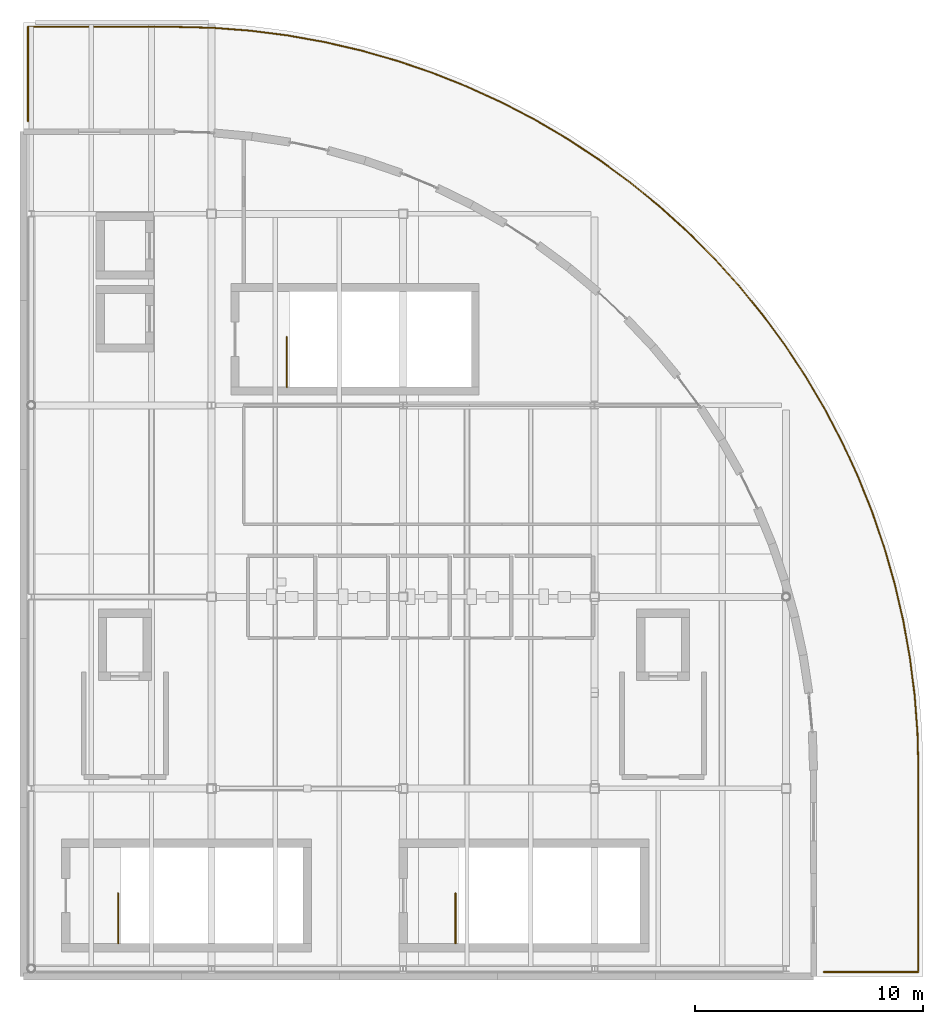
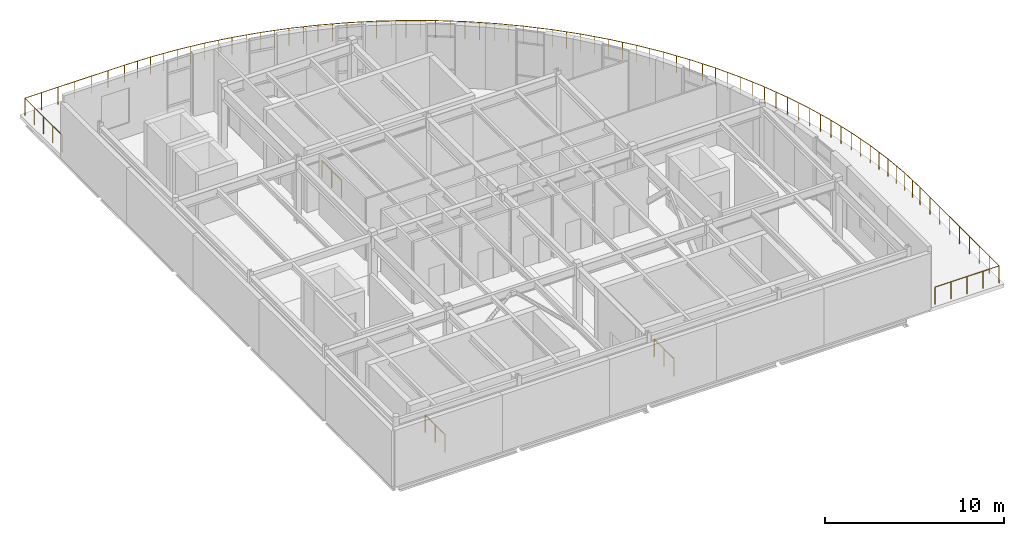
# One storey, part 25 of 26: 5 railings.
"""IFC4 building model written with IfcOpenShell, lengths in metres."""

from ifc_helpers import new_model, si_unit, direction, frame, origin, origin_2d, place, context, subcontext, project, spatial, circle, extrude, material, type_object, element, save


model = new_model("IFC4")

# Units and contexts
model_context = context("Model", 3, precision=1e-05, world=origin(), true_north=direction((0.0, 1.0)))
body_context = subcontext(model_context, "Body", "Model", "MODEL_VIEW")
ifc_project = project(units=[si_unit("LENGTHUNIT", "METRE"), si_unit("AREAUNIT", "SQUARE_METRE"), si_unit("VOLUMEUNIT", "CUBIC_METRE"), si_unit("PLANEANGLEUNIT", "RADIAN"), si_unit("MASSUNIT", "GRAM", prefix="KILO"), si_unit("THERMODYNAMICTEMPERATUREUNIT", "KELVIN")], contexts=[model_context])

# Site, building, storey
site_placement = place(None, origin())
site = spatial("IfcSite", under=ifc_project, at=site_placement, CompositionType="ELEMENT")
building_placement = place(site_placement, origin())
building = spatial("IfcBuilding", under=site, at=building_placement, Name="Lustrewick Department Store", CompositionType="ELEMENT")
storey_placement = place(building_placement, frame((0.0, 0.0, 36.300048828125)))
storey = spatial("IfcBuildingStorey", under=building, at=storey_placement, Name="L08", CompositionType="ELEMENT", Elevation=36.300048828125)

# Railings
ifc_material_1 = material(Name="Laminated glass and anodized aluminium guardrail", Category="aluminium")
railing_type_1 = type_object("IfcRailingType", Name="RL-EXT", PredefinedType="GUARDRAIL", material=ifc_material_1)
railing_1_placement = place(storey_placement, frame((109.550048828125, 92.199951171875, 0.0)))
element("IfcRailing", 1, at=railing_1_placement, inside=storey, type_object=railing_type_1, Name="L08 Terrace Perimeter Guardrail 0020", PredefinedType="GUARDRAIL", context=body_context, shape_type="SweptSolid", body=[
    extrude(circle(Radius=0.02392578125, at=origin_2d()), frame((0.0, 0.0, 1.17578125), z_axis=(1.0, 0.0, 0.0), x_axis=(0.0, 1.0, 0.0)), (0.0, 0.0, 1.0), 6.447509765625),
    extrude(circle(Radius=0.02392578125, at=origin_2d()), frame((6.447509765625, 0.0, 1.17578125), z_axis=(0.999681439069, -0.025239262673, 0.0), x_axis=(0.025239262673, 0.999681439069, 0.0)), (0.0, 0.0, 1.0), 1.654052734375),
    extrude(circle(Radius=0.02392578125, at=origin_2d()), frame((8.10107421875, -0.041748046875, 1.17578125), z_axis=(0.997109868287, -0.075973091061, 0.0), x_axis=(0.075973091061, 0.997109868287, 0.0)), (0.0, 0.0, 1.0), 1.65185546875),
    extrude(circle(Radius=0.02392578125, at=origin_2d()), frame((9.748046875, -0.167236328125, 1.17578125), z_axis=(0.991981746931, -0.126381223905, 0.0), x_axis=(0.126381223905, 0.991981746931, 0.0)), (0.0, 0.0, 1.0), 1.651611328125),
    extrude(circle(Radius=0.02392578125, at=origin_2d()), frame((11.386474609375, -0.3759765625, 1.17578125), z_axis=(0.984327836043, -0.176348266767, 0.0), x_axis=(0.176348266767, 0.984327836043, 0.0)), (0.0, 0.0, 1.0), 1.651611328125),
    extrude(circle(Radius=0.02392578125, at=origin_2d()), frame((13.01220703125, -0.667236328125, 1.17578125), z_axis=(0.974098944208, -0.226122194605, 0.0), x_axis=(0.226122194605, 0.974098944208, 0.0)), (0.0, 0.0, 1.0), 1.65185546875),
    extrude(circle(Radius=0.02392578125, at=origin_2d()), frame((14.621337890625, -1.040771484375, 1.17578125), z_axis=(0.961417892311, -0.275092050675, 0.0), x_axis=(0.275092050675, 0.961417892311, 0.0)), (0.0, 0.0, 1.0), 1.651611328125),
    extrude(circle(Radius=0.02392578125, at=origin_2d()), frame((16.209228515625, -1.4951171875, 1.17578125), z_axis=(0.946246162495, -0.323447368152, 0.0), x_axis=(0.323447368152, 0.946246162495, 0.0)), (0.0, 0.0, 1.0), 1.651611328125),
    extrude(circle(Radius=0.02392578125, at=origin_2d()), frame((17.77197265625, -2.029296875, 1.17578125), z_axis=(0.92869060639, -0.370855440304, 0.0), x_axis=(0.370855440304, 0.92869060639, 0.0)), (0.0, 0.0, 1.0), 1.651611328125),
    extrude(circle(Radius=0.02392578125, at=origin_2d()), frame((19.305908203125, -2.641845703125, 1.17578125), z_axis=(0.908637433662, -0.417585936244, 0.0), x_axis=(0.417585936244, 0.908637433662, 0.0)), (0.0, 0.0, 1.0), 1.651611328125),
    extrude(circle(Radius=0.02392578125, at=origin_2d()), frame((20.806640625, -3.33154296875, 1.17578125), z_axis=(0.886395017132, -0.462929663775, 0.0), x_axis=(0.462929663775, 0.886395017132, 0.0)), (0.0, 0.0, 1.0), 1.65185546875),
    extrude(circle(Radius=0.02392578125, at=origin_2d()), frame((22.270751953125, -4.09619140625, 1.17578125), z_axis=(0.861702348835, -0.507414093233, 0.0), x_axis=(0.507414093233, 0.861702348835, 0.0)), (0.0, 0.0, 1.0), 1.65185546875),
    extrude(circle(Radius=0.02392578125, at=origin_2d()), frame((23.694091796875, -4.934326171875, 1.17578125), z_axis=(0.834972096358, -0.55029228443, 0.0), x_axis=(0.55029228443, 0.834972096358, 0.0)), (0.0, 0.0, 1.0), 1.651611328125),
    extrude(circle(Radius=0.02392578125, at=origin_2d()), frame((25.0732421875, -5.84326171875, 1.17578125), z_axis=(0.806042993688, -0.591856986379, 0.0), x_axis=(0.591856986379, 0.806042993688, 0.0)), (0.0, 0.0, 1.0), 1.651611328125),
    extrude(circle(Radius=0.02392578125, at=origin_2d()), frame((26.404541015625, -6.82080078125, 1.17578125), z_axis=(0.775023142998, -0.631932850719, 0.0), x_axis=(0.631932850719, 0.775023142998, 0.0)), (0.0, 0.0, 1.0), 1.651611328125),
    extrude(circle(Radius=0.02392578125, at=origin_2d()), frame((27.6845703125, -7.864501953125, 1.17578125), z_axis=(0.742043343469, -0.670351904907, 0.0), x_axis=(0.670351904907, 0.742043343469, 0.0)), (0.0, 0.0, 1.0), 1.651611328125),
    extrude(circle(Radius=0.02392578125, at=origin_2d()), frame((28.91015625, -8.9716796875, 1.17578125), z_axis=(0.707106781187, -0.707106781187, 0.0), x_axis=(0.707106781187, 0.707106781187, 0.0)), (0.0, 0.0, 1.0), 1.65185546875),
    extrude(circle(Radius=0.02392578125, at=origin_2d()), frame((30.078125, -10.1396484375, 1.17578125), z_axis=(0.670433285257, -0.741969817458, 0.0), x_axis=(0.741969817458, 0.670433285257, 0.0)), (0.0, 0.0, 1.0), 1.65185546875),
    extrude(circle(Radius=0.02392578125, at=origin_2d()), frame((31.185546875, -11.365234375, 1.17578125), z_axis=(0.631932850719, -0.775023142998, 0.0), x_axis=(0.775023142998, 0.631932850719, 0.0)), (0.0, 0.0, 1.0), 1.651611328125),
    extrude(circle(Radius=0.02392578125, at=origin_2d()), frame((32.229248046875, -12.645263671875, 1.17578125), z_axis=(0.591856986379, -0.806042993688, 0.0), x_axis=(0.806042993688, 0.591856986379, 0.0)), (0.0, 0.0, 1.0), 1.651611328125),
    extrude(circle(Radius=0.02392578125, at=origin_2d()), frame((33.206787109375, -13.9765625, 1.17578125), z_axis=(0.55029228443, -0.834972096358, 0.0), x_axis=(0.834972096358, 0.55029228443, 0.0)), (0.0, 0.0, 1.0), 1.651611328125),
    extrude(circle(Radius=0.02392578125, at=origin_2d()), frame((34.11572265625, -15.355712890625, 1.17578125), z_axis=(0.507304331203, -0.861766972877, 0.0), x_axis=(0.861766972877, 0.507304331203, 0.0)), (0.0, 0.0, 1.0), 1.651611328125),
    extrude(circle(Radius=0.02392578125, at=origin_2d()), frame((34.95361328125, -16.779052734375, 1.17578125), z_axis=(0.462929663775, -0.886395017132, 0.0), x_axis=(0.886395017132, 0.462929663775, 0.0)), (0.0, 0.0, 1.0), 1.65185546875),
    extrude(circle(Radius=0.02392578125, at=origin_2d()), frame((35.71826171875, -18.2431640625, 1.17578125), z_axis=(0.417585936244, -0.908637433662, 0.0), x_axis=(0.908637433662, 0.417585936244, 0.0)), (0.0, 0.0, 1.0), 1.651611328125),
    extrude(circle(Radius=0.02392578125, at=origin_2d()), frame((36.407958984375, -19.743896484375, 1.17578125), z_axis=(0.370982911009, -0.928639693175, 0.0), x_axis=(0.928639693175, 0.370982911009, 0.0)), (0.0, 0.0, 1.0), 1.65185546875),
    extrude(circle(Radius=0.02392578125, at=origin_2d()), frame((37.020751953125, -21.27783203125, 1.17578125), z_axis=(0.323402129791, -0.946261624735, 0.0), x_axis=(0.946261624735, 0.323402129791, 0.0)), (0.0, 0.0, 1.0), 1.65185546875),
    extrude(circle(Radius=0.02392578125, at=origin_2d()), frame((37.554931640625, -22.8408203125, 1.17578125), z_axis=(0.274955409196, -0.961456979253, 0.0), x_axis=(0.961456979253, 0.274955409196, 0.0)), (0.0, 0.0, 1.0), 1.651611328125),
    extrude(circle(Radius=0.02392578125, at=origin_2d()), frame((38.009033203125, -24.4287109375, 1.17578125), z_axis=(0.226154752691, -0.974091385772, 0.0), x_axis=(0.974091385772, 0.226154752691, 0.0)), (0.0, 0.0, 1.0), 1.651611328125),
    extrude(circle(Radius=0.02392578125, at=origin_2d()), frame((38.382568359375, -26.03759765625, 1.17578125), z_axis=(0.176491483347, -0.984302167175, 0.0), x_axis=(0.984302167175, 0.176491483347, 0.0)), (0.0, 0.0, 1.0), 1.651611328125),
    extrude(circle(Radius=0.02392578125, at=origin_2d()), frame((38.674072265625, -27.663330078125, 1.17578125), z_axis=(0.126235766455, -0.992000267776, 0.0), x_axis=(0.992000267776, 0.126235766455, 0.0)), (0.0, 0.0, 1.0), 1.651611328125),
    extrude(circle(Radius=0.02392578125, at=origin_2d()), frame((38.882568359375, -29.3017578125, 1.17578125), z_axis=(0.075973091061, -0.997109868287, 0.0), x_axis=(0.997109868287, 0.075973091061, 0.0)), (0.0, 0.0, 1.0), 1.65185546875),
    extrude(circle(Radius=0.02392578125, at=origin_2d()), frame((39.008056640625, -30.94873046875, 1.17578125), z_axis=(0.025383020589, -0.999677799226, 0.0), x_axis=(0.999677799226, 0.025383020589, 0.0)), (0.0, 0.0, 1.0), 1.654296875),
    extrude(circle(Radius=0.02392578125, at=origin_2d()), frame((39.050048828125, -32.6025390625, 1.17578125), z_axis=(0.0, -1.0, 0.0), x_axis=(1.0, 0.0, 0.0)), (0.0, 0.0, 1.0), 8.847412109375),
    extrude(circle(Radius=0.02392578125, at=origin_2d()), frame((39.050048828125, -41.449951171875, 1.17578125), z_axis=(-1.0, 0.0, 0.0), x_axis=(0.0, -1.0, 0.0)), (0.0, 0.0, 1.0), 4.150146484375),
    extrude(circle(Radius=0.02099609375, at=origin_2d()), origin(), (0.0, 0.0, 1.0), 1.15185546875),
    extrude(circle(Radius=0.02099609375, at=origin_2d()), frame((1.07470703125, 0.0, 0.0)), (0.0, 0.0, 1.0), 1.15185546875),
    extrude(circle(Radius=0.02099609375, at=origin_2d()), frame((2.149169921875, 0.0, 0.0)), (0.0, 0.0, 1.0), 1.15185546875),
    extrude(circle(Radius=0.02099609375, at=origin_2d()), frame((3.2236328125, 0.0, 0.0)), (0.0, 0.0, 1.0), 1.15185546875),
    extrude(circle(Radius=0.02099609375, at=origin_2d()), frame((4.29833984375, 0.0, 0.0)), (0.0, 0.0, 1.0), 1.15185546875),
    extrude(circle(Radius=0.02099609375, at=origin_2d()), frame((5.373046875, 0.0, 0.0)), (0.0, 0.0, 1.0), 1.15185546875),
    extrude(circle(Radius=0.02099609375, at=origin_2d()), frame((6.447509765625, 0.0, 0.0)), (0.0, 0.0, 1.0), 1.15185546875),
    extrude(circle(Radius=0.02099609375, at=origin_2d()), frame((7.2744140625, -0.02099609375, 0.0)), (0.0, 0.0, 1.0), 1.15185546875),
    extrude(circle(Radius=0.02099609375, at=origin_2d()), frame((8.10107421875, -0.041748046875, 0.0)), (0.0, 0.0, 1.0), 1.15185546875),
    extrude(circle(Radius=0.02099609375, at=origin_2d()), frame((8.924560546875, -0.1044921875, 0.0)), (0.0, 0.0, 1.0), 1.15185546875),
    extrude(circle(Radius=0.02099609375, at=origin_2d()), frame((9.748046875, -0.167236328125, 0.0)), (0.0, 0.0, 1.0), 1.15185546875),
    extrude(circle(Radius=0.02099609375, at=origin_2d()), frame((10.5673828125, -0.271484375, 0.0)), (0.0, 0.0, 1.0), 1.15185546875),
    extrude(circle(Radius=0.02099609375, at=origin_2d()), frame((11.386474609375, -0.3759765625, 0.0)), (0.0, 0.0, 1.0), 1.15185546875),
    extrude(circle(Radius=0.02099609375, at=origin_2d()), frame((12.19921875, -0.521484375, 0.0)), (0.0, 0.0, 1.0), 1.15185546875),
    extrude(circle(Radius=0.02099609375, at=origin_2d()), frame((13.01220703125, -0.667236328125, 0.0)), (0.0, 0.0, 1.0), 1.15185546875),
    extrude(circle(Radius=0.02099609375, at=origin_2d()), frame((13.81689453125, -0.85400390625, 0.0)), (0.0, 0.0, 1.0), 1.15185546875),
    extrude(circle(Radius=0.02099609375, at=origin_2d()), frame((14.621337890625, -1.040771484375, 0.0)), (0.0, 0.0, 1.0), 1.15185546875),
    extrude(circle(Radius=0.02099609375, at=origin_2d()), frame((15.415283203125, -1.26806640625, 0.0)), (0.0, 0.0, 1.0), 1.15185546875),
    extrude(circle(Radius=0.02099609375, at=origin_2d()), frame((16.209228515625, -1.4951171875, 0.0)), (0.0, 0.0, 1.0), 1.15185546875),
    extrude(circle(Radius=0.02099609375, at=origin_2d()), frame((16.99072265625, -1.76220703125, 0.0)), (0.0, 0.0, 1.0), 1.15185546875),
    extrude(circle(Radius=0.02099609375, at=origin_2d()), frame((17.77197265625, -2.029296875, 0.0)), (0.0, 0.0, 1.0), 1.15185546875),
    extrude(circle(Radius=0.02099609375, at=origin_2d()), frame((18.5390625, -2.33544921875, 0.0)), (0.0, 0.0, 1.0), 1.15185546875),
    extrude(circle(Radius=0.02099609375, at=origin_2d()), frame((19.305908203125, -2.641845703125, 0.0)), (0.0, 0.0, 1.0), 1.15185546875),
    extrude(circle(Radius=0.02099609375, at=origin_2d()), frame((20.05615234375, -2.98681640625, 0.0)), (0.0, 0.0, 1.0), 1.15185546875),
    extrude(circle(Radius=0.02099609375, at=origin_2d()), frame((20.806640625, -3.33154296875, 0.0)), (0.0, 0.0, 1.0), 1.15185546875),
    extrude(circle(Radius=0.02099609375, at=origin_2d()), frame((21.53857421875, -3.7138671875, 0.0)), (0.0, 0.0, 1.0), 1.15185546875),
    extrude(circle(Radius=0.02099609375, at=origin_2d()), frame((22.270751953125, -4.09619140625, 0.0)), (0.0, 0.0, 1.0), 1.15185546875),
    extrude(circle(Radius=0.02099609375, at=origin_2d()), frame((22.982421875, -4.51513671875, 0.0)), (0.0, 0.0, 1.0), 1.15185546875),
    extrude(circle(Radius=0.02099609375, at=origin_2d()), frame((23.694091796875, -4.934326171875, 0.0)), (0.0, 0.0, 1.0), 1.15185546875),
    extrude(circle(Radius=0.02099609375, at=origin_2d()), frame((24.3837890625, -5.388671875, 0.0)), (0.0, 0.0, 1.0), 1.15185546875),
    extrude(circle(Radius=0.02099609375, at=origin_2d()), frame((25.0732421875, -5.84326171875, 0.0)), (0.0, 0.0, 1.0), 1.15185546875),
    extrude(circle(Radius=0.02099609375, at=origin_2d()), frame((25.73876953125, -6.33203125, 0.0)), (0.0, 0.0, 1.0), 1.15185546875),
    extrude(circle(Radius=0.02099609375, at=origin_2d()), frame((26.404541015625, -6.82080078125, 0.0)), (0.0, 0.0, 1.0), 1.15185546875),
    extrude(circle(Radius=0.02099609375, at=origin_2d()), frame((27.04443359375, -7.3427734375, 0.0)), (0.0, 0.0, 1.0), 1.15185546875),
    extrude(circle(Radius=0.02099609375, at=origin_2d()), frame((27.6845703125, -7.864501953125, 0.0)), (0.0, 0.0, 1.0), 1.15185546875),
    extrude(circle(Radius=0.02099609375, at=origin_2d()), frame((28.29736328125, -8.41796875, 0.0)), (0.0, 0.0, 1.0), 1.15185546875),
    extrude(circle(Radius=0.02099609375, at=origin_2d()), frame((28.91015625, -8.9716796875, 0.0)), (0.0, 0.0, 1.0), 1.15185546875),
    extrude(circle(Radius=0.02099609375, at=origin_2d()), frame((29.494140625, -9.5556640625, 0.0)), (0.0, 0.0, 1.0), 1.15185546875),
    extrude(circle(Radius=0.02099609375, at=origin_2d()), frame((30.078125, -10.1396484375, 0.0)), (0.0, 0.0, 1.0), 1.15185546875),
    extrude(circle(Radius=0.02099609375, at=origin_2d()), frame((30.6318359375, -10.75244140625, 0.0)), (0.0, 0.0, 1.0), 1.15185546875),
    extrude(circle(Radius=0.02099609375, at=origin_2d()), frame((31.185546875, -11.365234375, 0.0)), (0.0, 0.0, 1.0), 1.15185546875),
    extrude(circle(Radius=0.02099609375, at=origin_2d()), frame((31.70751953125, -12.00537109375, 0.0)), (0.0, 0.0, 1.0), 1.15185546875),
    extrude(circle(Radius=0.02099609375, at=origin_2d()), frame((32.229248046875, -12.645263671875, 0.0)), (0.0, 0.0, 1.0), 1.15185546875),
    extrude(circle(Radius=0.02099609375, at=origin_2d()), frame((32.718017578125, -13.31103515625, 0.0)), (0.0, 0.0, 1.0), 1.15185546875),
    extrude(circle(Radius=0.02099609375, at=origin_2d()), frame((33.206787109375, -13.9765625, 0.0)), (0.0, 0.0, 1.0), 1.15185546875),
    extrude(circle(Radius=0.02099609375, at=origin_2d()), frame((33.6611328125, -14.666015625, 0.0)), (0.0, 0.0, 1.0), 1.15185546875),
    extrude(circle(Radius=0.02099609375, at=origin_2d()), frame((34.11572265625, -15.355712890625, 0.0)), (0.0, 0.0, 1.0), 1.15185546875),
    extrude(circle(Radius=0.02099609375, at=origin_2d()), frame((34.53466796875, -16.0673828125, 0.0)), (0.0, 0.0, 1.0), 1.15185546875),
    extrude(circle(Radius=0.02099609375, at=origin_2d()), frame((34.95361328125, -16.779052734375, 0.0)), (0.0, 0.0, 1.0), 1.15185546875),
    extrude(circle(Radius=0.02099609375, at=origin_2d()), frame((35.3359375, -17.51123046875, 0.0)), (0.0, 0.0, 1.0), 1.15185546875),
    extrude(circle(Radius=0.02099609375, at=origin_2d()), frame((35.71826171875, -18.2431640625, 0.0)), (0.0, 0.0, 1.0), 1.15185546875),
    extrude(circle(Radius=0.02099609375, at=origin_2d()), frame((36.06298828125, -18.99365234375, 0.0)), (0.0, 0.0, 1.0), 1.15185546875),
    extrude(circle(Radius=0.02099609375, at=origin_2d()), frame((36.407958984375, -19.743896484375, 0.0)), (0.0, 0.0, 1.0), 1.15185546875),
    extrude(circle(Radius=0.02099609375, at=origin_2d()), frame((36.71435546875, -20.5107421875, 0.0)), (0.0, 0.0, 1.0), 1.15185546875),
    extrude(circle(Radius=0.02099609375, at=origin_2d()), frame((37.020751953125, -21.27783203125, 0.0)), (0.0, 0.0, 1.0), 1.15185546875),
    extrude(circle(Radius=0.02099609375, at=origin_2d()), frame((37.287841796875, -22.059326171875, 0.0)), (0.0, 0.0, 1.0), 1.15185546875),
    extrude(circle(Radius=0.02099609375, at=origin_2d()), frame((37.554931640625, -22.8408203125, 0.0)), (0.0, 0.0, 1.0), 1.15185546875),
    extrude(circle(Radius=0.02099609375, at=origin_2d()), frame((37.781982421875, -23.634765625, 0.0)), (0.0, 0.0, 1.0), 1.15185546875),
    extrude(circle(Radius=0.02099609375, at=origin_2d()), frame((38.009033203125, -24.4287109375, 0.0)), (0.0, 0.0, 1.0), 1.15185546875),
    extrude(circle(Radius=0.02099609375, at=origin_2d()), frame((38.19580078125, -25.233154296875, 0.0)), (0.0, 0.0, 1.0), 1.15185546875),
    extrude(circle(Radius=0.02099609375, at=origin_2d()), frame((38.382568359375, -26.03759765625, 0.0)), (0.0, 0.0, 1.0), 1.15185546875),
    extrude(circle(Radius=0.02099609375, at=origin_2d()), frame((38.5283203125, -26.8505859375, 0.0)), (0.0, 0.0, 1.0), 1.15185546875),
    extrude(circle(Radius=0.02099609375, at=origin_2d()), frame((38.674072265625, -27.663330078125, 0.0)), (0.0, 0.0, 1.0), 1.15185546875),
    extrude(circle(Radius=0.02099609375, at=origin_2d()), frame((38.7783203125, -28.482421875, 0.0)), (0.0, 0.0, 1.0), 1.15185546875),
    extrude(circle(Radius=0.02099609375, at=origin_2d()), frame((38.882568359375, -29.3017578125, 0.0)), (0.0, 0.0, 1.0), 1.15185546875),
    extrude(circle(Radius=0.02099609375, at=origin_2d()), frame((38.9453125, -30.125244140625, 0.0)), (0.0, 0.0, 1.0), 1.15185546875),
    extrude(circle(Radius=0.02099609375, at=origin_2d()), frame((39.008056640625, -30.94873046875, 0.0)), (0.0, 0.0, 1.0), 1.15185546875),
    extrude(circle(Radius=0.02099609375, at=origin_2d()), frame((39.029052734375, -31.775634765625, 0.0)), (0.0, 0.0, 1.0), 1.15185546875),
    extrude(circle(Radius=0.02099609375, at=origin_2d()), frame((39.050048828125, -32.6025390625, 0.0)), (0.0, 0.0, 1.0), 1.15185546875),
    extrude(circle(Radius=0.02099609375, at=origin_2d()), frame((39.050048828125, -33.70849609375, 0.0)), (0.0, 0.0, 1.0), 1.15185546875),
    extrude(circle(Radius=0.02099609375, at=origin_2d()), frame((39.050048828125, -34.814453125, 0.0)), (0.0, 0.0, 1.0), 1.15185546875),
    extrude(circle(Radius=0.02099609375, at=origin_2d()), frame((39.050048828125, -35.92041015625, 0.0)), (0.0, 0.0, 1.0), 1.15185546875),
    extrude(circle(Radius=0.02099609375, at=origin_2d()), frame((39.050048828125, -37.0263671875, 0.0)), (0.0, 0.0, 1.0), 1.15185546875),
    extrude(circle(Radius=0.02099609375, at=origin_2d()), frame((39.050048828125, -38.132080078125, 0.0)), (0.0, 0.0, 1.0), 1.15185546875),
    extrude(circle(Radius=0.02099609375, at=origin_2d()), frame((39.050048828125, -39.238037109375, 0.0)), (0.0, 0.0, 1.0), 1.15185546875),
    extrude(circle(Radius=0.02099609375, at=origin_2d()), frame((39.050048828125, -40.343994140625, 0.0)), (0.0, 0.0, 1.0), 1.15185546875),
    extrude(circle(Radius=0.02099609375, at=origin_2d()), frame((39.050048828125, -41.449951171875, 0.0)), (0.0, 0.0, 1.0), 1.15185546875),
    extrude(circle(Radius=0.02099609375, at=origin_2d()), frame((38.012451171875, -41.449951171875, 0.0)), (0.0, 0.0, 1.0), 1.15185546875),
    extrude(circle(Radius=0.02099609375, at=origin_2d()), frame((36.97509765625, -41.449951171875, 0.0)), (0.0, 0.0, 1.0), 1.15185546875),
    extrude(circle(Radius=0.02099609375, at=origin_2d()), frame((35.9375, -41.449951171875, 0.0)), (0.0, 0.0, 1.0), 1.15185546875),
    extrude(circle(Radius=0.02099609375, at=origin_2d()), frame((34.89990234375, -41.449951171875, 0.0)), (0.0, 0.0, 1.0), 1.15185546875),
])
railing_2_placement = place(storey_placement, frame((109.550048828125, 88.050048828125, 0.0)))
element("IfcRailing", 2, at=railing_2_placement, inside=storey, type_object=railing_type_1, Name="L08 Terrace Perimeter Guardrail 0021", PredefinedType="GUARDRAIL", context=body_context, shape_type="SweptSolid", body=[
    extrude(circle(Radius=0.02392578125, at=origin_2d()), frame((0.0, 0.0, 1.17578125), z_axis=(0.0, 1.0, 0.0), x_axis=(-1.0, 0.0, 0.0)), (0.0, 0.0, 1.0), 4.14990234375),
    extrude(circle(Radius=0.02099609375, at=origin_2d()), origin(), (0.0, 0.0, 1.0), 1.15185546875),
    extrude(circle(Radius=0.02099609375, at=origin_2d()), frame((0.0, 1.03759765625, 0.0)), (0.0, 0.0, 1.0), 1.15185546875),
    extrude(circle(Radius=0.02099609375, at=origin_2d()), frame((0.0, 2.074951171875, 0.0)), (0.0, 0.0, 1.0), 1.15185546875),
    extrude(circle(Radius=0.02099609375, at=origin_2d()), frame((0.0, 3.1123046875, 0.0)), (0.0, 0.0, 1.0), 1.15185546875),
    extrude(circle(Radius=0.02099609375, at=origin_2d()), frame((0.0, 4.14990234375, 0.0)), (0.0, 0.0, 1.0), 1.15185546875),
])
ifc_material_2 = material(Name="Painted tubular steel stairwell guardrail", Category="steel")
railing_type_2 = type_object("IfcRailingType", Name="RL-STG", PredefinedType="GUARDRAIL", material=ifc_material_2)
railing_3_placement = place(storey_placement, frame((113.5, 52.0, 0.0)))
element("IfcRailing", 3, at=railing_3_placement, inside=storey, type_object=railing_type_2, Name="L08 ST09 Top Well Guard 1", PredefinedType="GUARDRAIL", context=body_context, shape_type="SweptSolid", body=[
    extrude(circle(Radius=0.02392578125, at=origin_2d()), frame((0.0, 0.0, 1.17578125), z_axis=(0.0, 1.0, 0.0), x_axis=(-1.0, 0.0, 0.0)), (0.0, 0.0, 1.0), 2.199951171875),
    extrude(circle(Radius=0.02099609375, at=origin_2d()), origin(), (0.0, 0.0, 1.0), 1.15185546875),
    extrude(circle(Radius=0.02099609375, at=origin_2d()), frame((0.0, 1.10009765625, 0.0)), (0.0, 0.0, 1.0), 1.15185546875),
    extrude(circle(Radius=0.02099609375, at=origin_2d()), frame((0.0, 2.199951171875, 0.0)), (0.0, 0.0, 1.0), 1.15185546875),
])
railing_4_placement = place(storey_placement, frame((120.89990234375, 76.39990234375, 0.0)))
element("IfcRailing", 4, at=railing_4_placement, inside=storey, type_object=railing_type_2, Name="L08 ST10 Top Well Guard 1", PredefinedType="GUARDRAIL", context=body_context, shape_type="SweptSolid", body=[
    extrude(circle(Radius=0.02392578125, at=origin_2d()), frame((0.0, 0.0, 1.17578125), z_axis=(0.0, 1.0, 0.0), x_axis=(-1.0, 0.0, 0.0)), (0.0, 0.0, 1.0), 2.2001953125),
    extrude(circle(Radius=0.02099609375, at=origin_2d()), origin(), (0.0, 0.0, 1.0), 1.15185546875),
    extrude(circle(Radius=0.02099609375, at=origin_2d()), frame((0.0, 1.10009765625, 0.0)), (0.0, 0.0, 1.0), 1.15185546875),
    extrude(circle(Radius=0.02099609375, at=origin_2d()), frame((0.0, 2.2001953125, 0.0)), (0.0, 0.0, 1.0), 1.15185546875),
])
railing_5_placement = place(storey_placement, frame((128.300048828125, 52.0, 0.0)))
element("IfcRailing", 5, at=railing_5_placement, inside=storey, type_object=railing_type_2, Name="L08 ST11 Top Well Guard 1", PredefinedType="GUARDRAIL", context=body_context, shape_type="SweptSolid", body=[
    extrude(circle(Radius=0.02392578125, at=origin_2d()), frame((0.0, 0.0, 1.17578125), z_axis=(0.0, 1.0, 0.0), x_axis=(-1.0, 0.0, 0.0)), (0.0, 0.0, 1.0), 2.199951171875),
    extrude(circle(Radius=0.02099609375, at=origin_2d()), origin(), (0.0, 0.0, 1.0), 1.15185546875),
    extrude(circle(Radius=0.02099609375, at=origin_2d()), frame((0.0, 1.10009765625, 0.0)), (0.0, 0.0, 1.0), 1.15185546875),
    extrude(circle(Radius=0.02099609375, at=origin_2d()), frame((0.0, 2.199951171875, 0.0)), (0.0, 0.0, 1.0), 1.15185546875),
])

save(model, "model.ifc")
